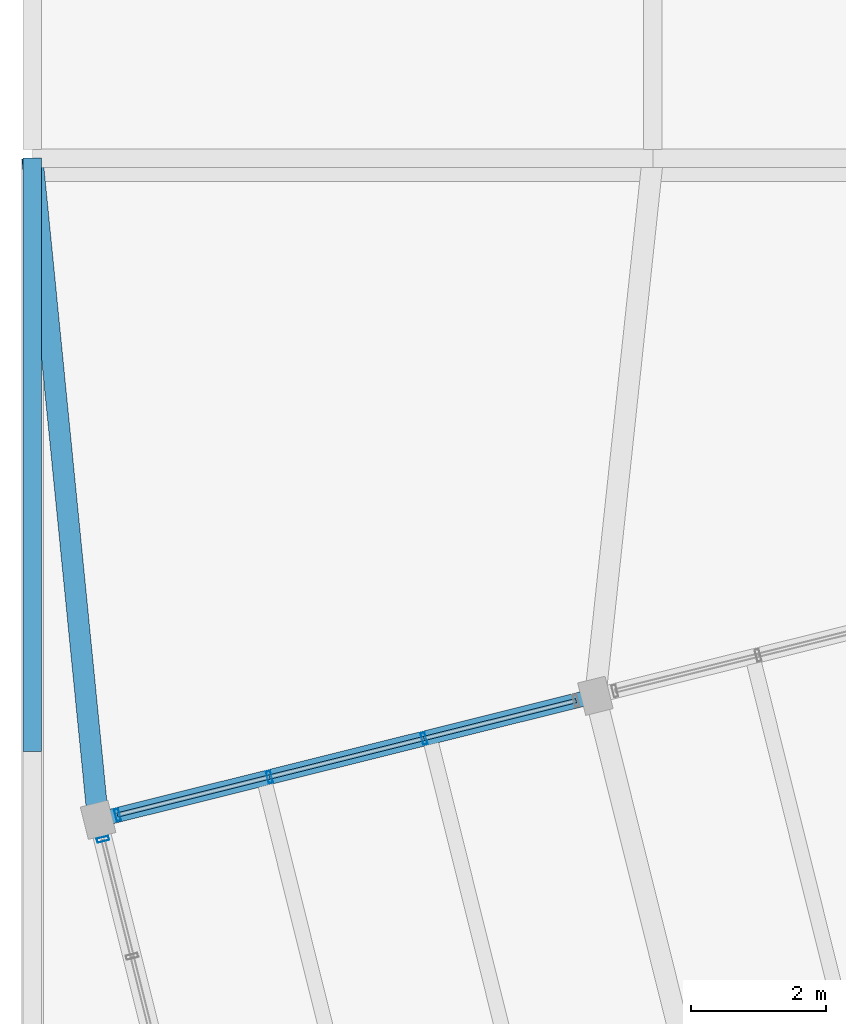
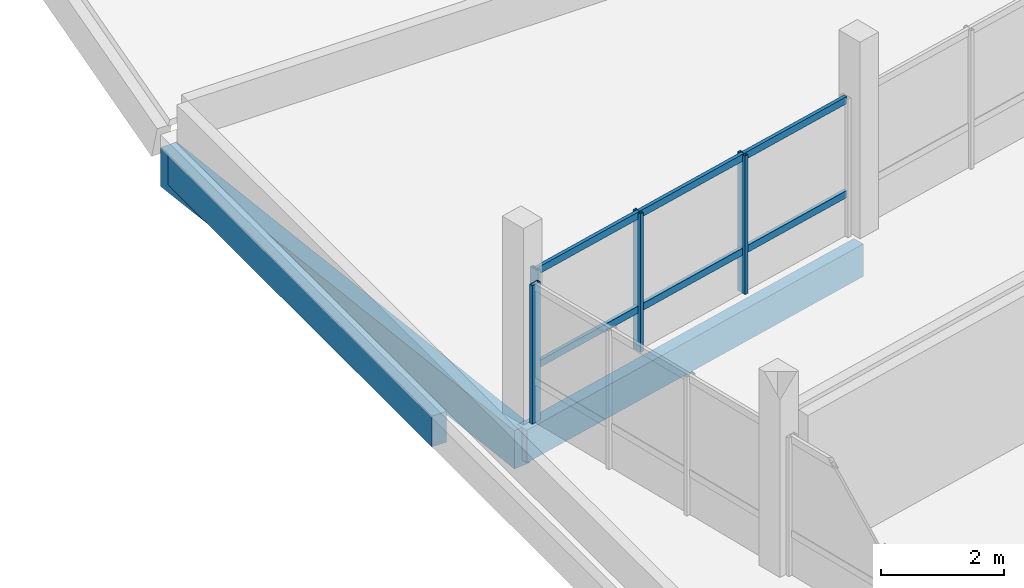
# One storey, part 20 of 37: 10 members, 3 beams, 2 elements without a shape of their own.
"""IFC4 building model written with IfcOpenShell, lengths in metres."""

from ifc_helpers import new_model, si_unit, direction, frame, origin, origin_2d, place, context, subcontext, project, spatial, rectangle, hollow_rectangle, extrude, material, layer, layer_set, material_profile, profile_set, type_object, element, aggregate, save


model = new_model("IFC4")

# Units and contexts
model_context = context("Model", 3, precision=1e-05, world=origin(), true_north=direction((0.0, 1.0)))
body_context = subcontext(model_context, "Body", "Model", "MODEL_VIEW")
ifc_project = project(units=[si_unit("LENGTHUNIT", "METRE"), si_unit("AREAUNIT", "SQUARE_METRE"), si_unit("VOLUMEUNIT", "CUBIC_METRE"), si_unit("PLANEANGLEUNIT", "RADIAN"), si_unit("MASSUNIT", "GRAM", prefix="KILO")], contexts=[model_context])

# Site, building, storey
site_placement = place(None, origin())
site = spatial("IfcSite", under=ifc_project, at=site_placement, CompositionType="ELEMENT")
building_placement = place(site_placement, origin())
building = spatial("IfcBuilding", under=site, at=building_placement, Name="Meriwether Solvik Hall", CompositionType="ELEMENT")
storey_placement = place(building_placement, frame((0.0, 0.0, 26.10009765625)))
storey = spatial("IfcBuildingStorey", under=building, at=storey_placement, Name="L06", CompositionType="ELEMENT", Elevation=26.10009765625)

# Beams
ifc_material_1 = material(Name="Glulam Douglas-Fir 24F-V8 GL28h", Category="wood")
ifc_material_profile_1 = material_profile(ifc_material_1, rectangle(XDim=0.221923828125, YDim=0.64501953125, at=origin_2d()), Name="GLB-222X645")
ifc_profile_set_1 = profile_set([ifc_material_profile_1], Name="Glulam Douglas-Fir 24F-V8 GL28h")
beam_type_1 = type_object("IfcBeamType", Name="BM-GL-222X645", PredefinedType="SPANDREL", material=ifc_profile_set_1)
beam_1_placement = place(storey_placement, frame((60.374755859375, 74.18994140625, -0.592529296875), z_axis=(0.970295366785, 0.241923337436, 0.0), x_axis=(-0.241923337436, 0.970295366785, 0.0)))
element("IfcBeam", 1, at=beam_1_placement, inside=storey, type_object=beam_type_1, Name="Tower Girder TF:T1-T2 (L06)", PredefinedType="SPANDREL", context=body_context, shape_type="SweptSolid", body=[
    extrude(rectangle(XDim=0.221923828125, YDim=0.64501953125, at=origin_2d()), origin(), (0.0, 0.0, 1.0), 7.60009765625),
])
ifc_material_2 = material(Name="Glulam Douglas-Fir 24F-V8 GL28h", Category="wood")
ifc_material_profile_2 = material_profile(ifc_material_2, rectangle(XDim=0.27294921875, YDim=0.610107421875, at=origin_2d()), Name="GLB-273X610")
ifc_profile_set_2 = profile_set([ifc_material_profile_2], Name="Glulam Douglas-Fir 24F-V8 GL28h")
beam_type_2 = type_object("IfcBeamType", Name="BM-GL-273X610", PredefinedType="SPANDREL", material=ifc_profile_set_2)
beam_2_placement = place(storey_placement, frame((59.39990234375, 75.199951171875, -0.5751953125), z_axis=(0.0, 1.0, 0.0), x_axis=(-1.0, 0.0, 0.0)))
element("IfcBeam", 2, at=beam_2_placement, inside=storey, type_object=beam_type_2, Name="Podium Girder 7:I-J (L06)", PredefinedType="SPANDREL", context=body_context, shape_type="SweptSolid", body=[
    extrude(rectangle(XDim=0.27294921875, YDim=0.610107421875, at=origin_2d()), origin(), (0.0, 0.0, 1.0), 8.800048828125),
])
ifc_material_3 = material(Name="Glulam Douglas-Fir 24F-V8 GL28h", Category="wood")
ifc_material_profile_3 = material_profile(ifc_material_3, rectangle(XDim=0.31494140625, YDim=0.760009765625, at=origin_2d()), Name="GLB-315X760")
ifc_profile_set_3 = profile_set([ifc_material_profile_3], Name="Glulam Douglas-Fir 24F-V8 GL28h")
beam_type_3 = type_object("IfcBeamType", Name="BM-GL-315X760", PredefinedType="BEAM", material=ifc_profile_set_3)
beam_3_placement = place(storey_placement, frame((60.374755859375, 74.18994140625, -0.650146484375), z_axis=(-0.098885806068, 0.995098787738, 0.0), x_axis=(-0.995098787738, -0.098885806068, 0.0)))
element("IfcBeam", 3, at=beam_3_placement, inside=storey, type_object=beam_type_3, Name="Diaphragm Collector Girder T1/TF-7/J (L06)", PredefinedType="BEAM", context=body_context, shape_type="SweptSolid", body=[
    extrude(rectangle(XDim=0.31494140625, YDim=0.760009765625, at=origin_2d()), origin(), (0.0, 0.0, 1.0), 9.8583984375),
])

# Curtain wall, members
ifc_material_4 = material(Name="Thermally Broken Anodised Aluminium 6063-T6 and Low-E Glass", Category="aluminium")
ifc_layer_1 = layer(ifc_material_4, 0.179931640625)
ifc_layer_set_1 = layer_set([ifc_layer_1], Name="Thermally Broken Anodised Aluminium 6063-T6 and Low-E Glass")
curtain_wall_type_1 = type_object("IfcCurtainWallType", Name="CW-UNIT-A", PredefinedType="USERDEFINED", material=ifc_layer_set_1)
curtain_wall_1_placement = place(storey_placement, origin())
curtain_wall_1 = element("IfcCurtainWall", 4, at=curtain_wall_1_placement, inside=storey, type_object=curtain_wall_type_1, Name="Curtain Wall E4_B0 (L06)", ObjectType="UNITISED CURTAIN WALL", PredefinedType="USERDEFINED")
ifc_material_5 = material(Name="Anodised Aluminium 6063-T6", Category="aluminium")
ifc_material_profile_4 = material_profile(ifc_material_5, hollow_rectangle(XDim=0.06494140625, YDim=0.179931640625, WallThickness=0.00439453125, at=origin_2d()), Name="CWM-65X180")
ifc_profile_set_4 = profile_set([ifc_material_profile_4], Name="Anodised Aluminium 6063-T6")
member_type_1 = type_object("IfcMemberType", Name="CW-MUL-65X180", PredefinedType="MULLION", material=ifc_profile_set_4)
member_1_placement = place(storey_placement, frame((60.663330078125, 74.261962890625, 0.0), z_axis=(0.0, 0.0, 1.0), x_axis=(0.970295724068, 0.241921904457, 0.0)))
member_1 = element("IfcMember", 5, at=member_1_placement, type_object=member_type_1, Name="Curtain Wall Mullion 1", PredefinedType="MULLION", context=body_context, shape_type="SweptSolid", body=[
    extrude(hollow_rectangle(XDim=0.06494140625, YDim=0.179931640625, WallThickness=0.00439453125, at=origin_2d()), origin(), (0.0, 0.0, 1.0), 2.75),
])
member_2_placement = place(storey_placement, frame((62.916748046875, 74.82373046875, 0.0), z_axis=(0.0, 0.0, 1.0), x_axis=(0.970295724068, 0.241921904457, 0.0)))
member_2 = element("IfcMember", 6, at=member_2_placement, type_object=member_type_1, Name="Curtain Wall Mullion 2", PredefinedType="MULLION", context=body_context, shape_type="SweptSolid", body=[
    extrude(hollow_rectangle(XDim=0.06494140625, YDim=0.179931640625, WallThickness=0.00439453125, at=origin_2d()), origin(), (0.0, 0.0, 1.0), 2.75),
])
member_3_placement = place(storey_placement, frame((65.206787109375, 75.394775390625, 0.0), z_axis=(0.0, 0.0, 1.0), x_axis=(0.970295724068, 0.241921904457, 0.0)))
member_3 = element("IfcMember", 7, at=member_3_placement, type_object=member_type_1, Name="Curtain Wall Mullion 3", PredefinedType="MULLION", context=body_context, shape_type="SweptSolid", body=[
    extrude(hollow_rectangle(XDim=0.06494140625, YDim=0.179931640625, WallThickness=0.00439453125, at=origin_2d()), origin(), (0.0, 0.0, 1.0), 2.75),
])

# Curtain wall, member
ifc_material_6 = material(Name="Thermally Broken Anodised Aluminium 6063-T6 and Low-E Glass", Category="aluminium")
ifc_layer_2 = layer(ifc_material_6, 0.179931640625)
ifc_layer_set_2 = layer_set([ifc_layer_2], Name="Thermally Broken Anodised Aluminium 6063-T6 and Low-E Glass")
curtain_wall_type_2 = type_object("IfcCurtainWallType", Name="CW-UNIT-F", PredefinedType="USERDEFINED", material=ifc_layer_set_2)
curtain_wall_2_placement = place(storey_placement, origin())
curtain_wall_2 = element("IfcCurtainWall", 8, at=curtain_wall_2_placement, inside=storey, type_object=curtain_wall_type_2, Name="Curtain Wall E5_B4 (L06)", ObjectType="UNITISED CURTAIN WALL", PredefinedType="USERDEFINED")
member_4_placement = place(storey_placement, frame((60.446533203125, 73.9013671875, 0.0), z_axis=(0.0, 0.0, 1.0), x_axis=(-0.241921905778, 0.970295723738, 0.0)))
member_4 = element("IfcMember", 9, at=member_4_placement, type_object=member_type_1, Name="Curtain Wall Mullion 4", PredefinedType="MULLION", context=body_context, shape_type="SweptSolid", body=[
    extrude(hollow_rectangle(XDim=0.06494140625, YDim=0.179931640625, WallThickness=0.00439453125, at=origin_2d()), origin(), (0.0, 0.0, 1.0), 2.75),
])
aggregate(curtain_wall_2, [member_4])

# Member
ifc_material_7 = material(Name="Anodised Aluminium 6063-T6", Category="aluminium")
ifc_material_profile_5 = material_profile(ifc_material_7, hollow_rectangle(XDim=0.06494140625, YDim=0.139892578125, WallThickness=0.00439453125, at=origin_2d()), Name="CWT-65X140")
ifc_profile_set_5 = profile_set([ifc_material_profile_5], Name="Anodised Aluminium 6063-T6")
member_type_2 = type_object("IfcMemberType", Name="CW-TRN-65X140", PredefinedType="USERDEFINED", material=ifc_profile_set_5)
member_5_placement = place(storey_placement, frame((60.663330078125, 74.261962890625, 0.824951171875), z_axis=(0.970303066279, 0.241892454551, 0.0), x_axis=(-0.241892454551, 0.970303066279, 0.0)))
member_5 = element("IfcMember", 10, at=member_5_placement, type_object=member_type_2, Name="Curtain Wall Transom 1-sill", ObjectType="TRANSOM", PredefinedType="USERDEFINED", context=body_context, shape_type="SweptSolid", body=[
    extrude(hollow_rectangle(XDim=0.06494140625, YDim=0.139892578125, WallThickness=0.00439453125, at=origin_2d()), origin(), (0.0, 0.0, 1.0), 2.322265625),
])

member_6_placement = place(storey_placement, frame((60.663330078125, 74.261962890625, 2.68994140625), z_axis=(0.970303066279, 0.241892454551, 0.0), x_axis=(-0.241892454551, 0.970303066279, 0.0)))
member_6 = element("IfcMember", 11, at=member_6_placement, type_object=member_type_2, Name="Curtain Wall Transom 1-head", ObjectType="TRANSOM", PredefinedType="USERDEFINED", context=body_context, shape_type="SweptSolid", body=[
    extrude(hollow_rectangle(XDim=0.06494140625, YDim=0.139892578125, WallThickness=0.00439453125, at=origin_2d()), origin(), (0.0, 0.0, 1.0), 2.322265625),
])

member_7_placement = place(storey_placement, frame((62.916748046875, 74.82373046875, 0.824951171875), z_axis=(0.970288360408, 0.241951436567, 0.0), x_axis=(-0.241951436567, 0.970288360408, 0.0)))
member_7 = element("IfcMember", 12, at=member_7_placement, type_object=member_type_2, Name="Curtain Wall Transom 2-sill", ObjectType="TRANSOM", PredefinedType="USERDEFINED", context=body_context, shape_type="SweptSolid", body=[
    extrude(hollow_rectangle(XDim=0.06494140625, YDim=0.139892578125, WallThickness=0.00439453125, at=origin_2d()), origin(), (0.0, 0.0, 1.0), 2.360107421875),
])

member_8_placement = place(storey_placement, frame((62.916748046875, 74.82373046875, 2.68994140625), z_axis=(0.970288360408, 0.241951436567, 0.0), x_axis=(-0.241951436567, 0.970288360408, 0.0)))
member_8 = element("IfcMember", 13, at=member_8_placement, type_object=member_type_2, Name="Curtain Wall Transom 2-head", ObjectType="TRANSOM", PredefinedType="USERDEFINED", context=body_context, shape_type="SweptSolid", body=[
    extrude(hollow_rectangle(XDim=0.06494140625, YDim=0.139892578125, WallThickness=0.00439453125, at=origin_2d()), origin(), (0.0, 0.0, 1.0), 2.360107421875),
])

member_9_placement = place(storey_placement, frame((65.206787109375, 75.394775390625, 0.824951171875), z_axis=(0.970278388094, 0.241991424636, 0.0), x_axis=(-0.241991424636, 0.970278388094, 0.0)))
member_9 = element("IfcMember", 14, at=member_9_placement, type_object=member_type_2, Name="Curtain Wall Transom 3-sill", ObjectType="TRANSOM", PredefinedType="USERDEFINED", context=body_context, shape_type="SweptSolid", body=[
    extrude(hollow_rectangle(XDim=0.06494140625, YDim=0.139892578125, WallThickness=0.00439453125, at=origin_2d()), origin(), (0.0, 0.0, 1.0), 2.322509765625),
])

member_10_placement = place(storey_placement, frame((65.206787109375, 75.394775390625, 2.68994140625), z_axis=(0.970278388094, 0.241991424636, 0.0), x_axis=(-0.241991424636, 0.970278388094, 0.0)))
member_10 = element("IfcMember", 15, at=member_10_placement, type_object=member_type_2, Name="Curtain Wall Transom 3-head", ObjectType="TRANSOM", PredefinedType="USERDEFINED", context=body_context, shape_type="SweptSolid", body=[
    extrude(hollow_rectangle(XDim=0.06494140625, YDim=0.139892578125, WallThickness=0.00439453125, at=origin_2d()), origin(), (0.0, 0.0, 1.0), 2.322509765625),
])

aggregate(curtain_wall_1, [member_1, member_2, member_3, member_5, member_6, member_7, member_8, member_9, member_10])

save(model, "model.ifc")
